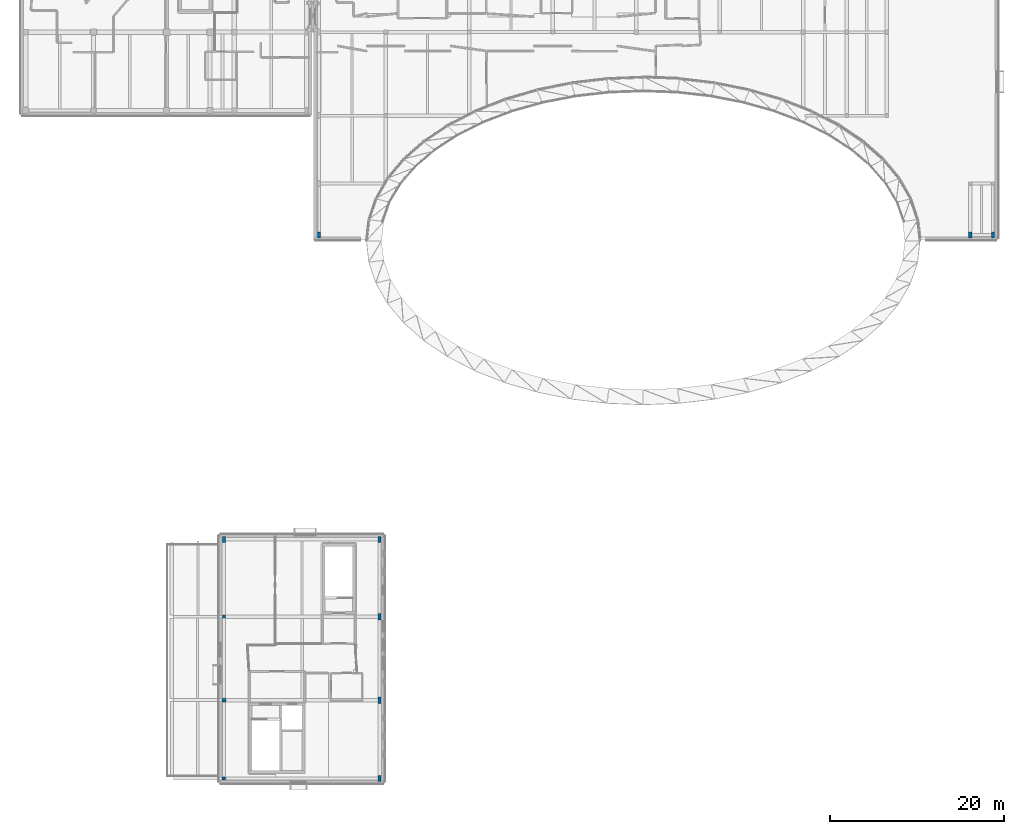
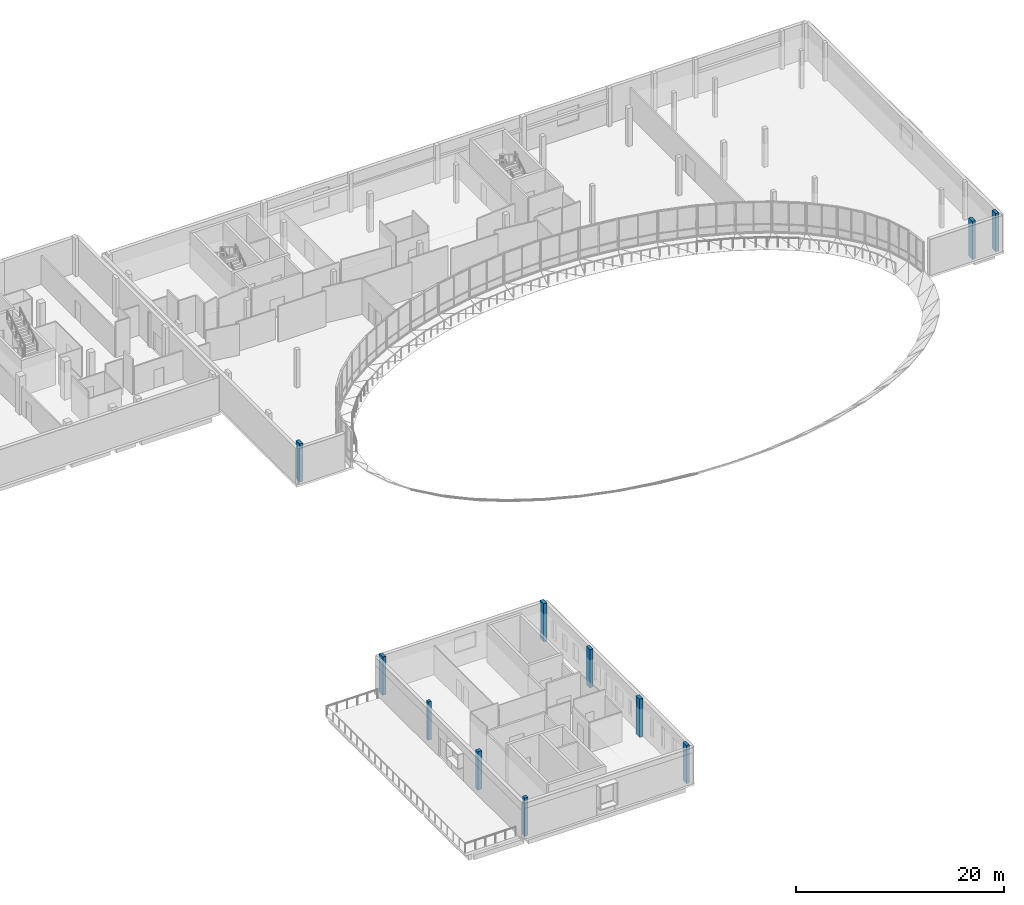
# One storey, part 1 of 41: 11 columns.
"""IFC4 building model written with IfcOpenShell, lengths in metres."""

import ifcopenshell
import ifcopenshell.guid

model = None  # the IFC model being written
_history = None  # IfcOwnerHistory: only IFC2X3 demands one
_inside = {}  # id of a spatial element -> (the spatial element, [elements in it])
_under = {}  # id of a project, library or spatial element -> (it, [spatial elements below it])
_declared = {}  # id of a project -> (the project, [libraries it declares])
_typed = {}  # id of a type object -> (the type object, [elements of that type])
_made_of = {}  # id of a material, layer set ... -> (it, [elements and type objects made of it])


def new_model(schema):
    """Start an empty IFC model of exactly this schema.

    Asked for "IFC4X3", IfcOpenShell would pick the latest addendum, in which some entities
    have other attributes; the version numbers below select the first issue.
    IFC2X3 requires an IfcOwnerHistory on every rooted entity: one is made here for all.
    """
    global model, _history
    if schema == "IFC4X3":
        model = ifcopenshell.file(schema_version=(4, 3, 0, 0))
    else:
        model = ifcopenshell.file(schema=schema)
    _inside.clear()
    _under.clear()
    _declared.clear()
    _typed.clear()
    _made_of.clear()
    _history = None
    if model.schema == "IFC2X3":
        org = make("IfcOrganization", Name="unknown")
        user = make(
            "IfcPersonAndOrganization",
            ThePerson=make("IfcPerson", FamilyName="unknown"),
            TheOrganization=org,
        )
        app = make(
            "IfcApplication",
            ApplicationDeveloper=org,
            Version="unknown",
            ApplicationFullName="unknown",
            ApplicationIdentifier="unknown",
        )
        _history = make(
            "IfcOwnerHistory",
            OwningUser=user,
            OwningApplication=app,
            ChangeAction="ADDED",
            CreationDate=0,
        )
    return model


def make(cls, **values):
    """One entity of the class cls with the attributes given. An attribute that is None is left unset."""
    return model.create_entity(
        cls, **{name: value for name, value in values.items() if value is not None}
    )


def rooted(cls, **values):
    """An entity with a GlobalId (a new one), such as an element, a storey or a relation."""
    return make(cls, GlobalId=ifcopenshell.guid.new(), OwnerHistory=_history, **values)


def si_unit(unit_type, name, prefix=None):
    """IfcSIUnit, for example si_unit("LENGTHUNIT", "METRE", prefix="MILLI")."""
    return make("IfcSIUnit", UnitType=unit_type, Prefix=prefix, Name=name)


def assignment(units):
    """IfcUnitAssignment: the units of a project."""
    return None if units is None else make("IfcUnitAssignment", Units=units)


def point(xyz):
    """IfcCartesianPoint."""
    return None if xyz is None else make("IfcCartesianPoint", Coordinates=xyz)


def direction(xyz):
    """IfcDirection."""
    return None if xyz is None else make("IfcDirection", DirectionRatios=xyz)


def frame(location, z_axis=None, x_axis=None):
    """IfcAxis2Placement3D, a coordinate frame: its origin and axes. An axis left out is left unset."""
    return make(
        "IfcAxis2Placement3D",
        Location=point(location),
        Axis=direction(z_axis),
        RefDirection=direction(x_axis),
    )


def frame_2d(location, x_axis=None):
    """IfcAxis2Placement2D, a coordinate frame in the plane: its origin and x axis."""
    return make(
        "IfcAxis2Placement2D", Location=point(location), RefDirection=direction(x_axis)
    )


def origin():
    """The frame at (0, 0, 0) with its axes left unset."""
    return frame((0.0, 0.0, 0.0))


def origin_2d():
    """The frame at (0, 0) in the plane with its x axis left unset."""
    return frame_2d((0.0, 0.0))


def place(relative_to, where):
    """IfcLocalPlacement: puts the frame where relative to a parent placement (None: the world)."""
    return make(
        "IfcLocalPlacement", PlacementRelTo=relative_to, RelativePlacement=where
    )


def context(
    kind, dimensions, precision=None, world=None, true_north=None, identifier=None
):
    """IfcGeometricRepresentationContext, for example the 3D "Model" context."""
    return make(
        "IfcGeometricRepresentationContext",
        ContextIdentifier=identifier,
        ContextType=kind,
        CoordinateSpaceDimension=dimensions,
        Precision=precision,
        WorldCoordinateSystem=world,
        TrueNorth=true_north,
    )


def subcontext(parent, identifier, kind, view, scale=None):
    """IfcGeometricRepresentationSubContext, for example "Body" below "Model"."""
    return make(
        "IfcGeometricRepresentationSubContext",
        ContextIdentifier=identifier,
        ContextType=kind,
        ParentContext=parent,
        TargetScale=scale,
        TargetView=view,
    )


def project(units=None, contexts=None):
    """IfcProject with its units and contexts."""
    return rooted(
        "IfcProject",
        Name="project",
        RepresentationContexts=contexts,
        UnitsInContext=assignment(units),
    )


def spatial(cls, under=None, at=None, **own):
    """A site, building, storey or space (cls), placed at a placement, below another one or the project."""
    s = rooted(cls, ObjectPlacement=at, **own)
    if under is not None:
        _under.setdefault(under.id(), (under, []))[1].append(s)
    return s


def profile(cls, at=None, kind="AREA", **sizes):
    """A parametric profile (cls). Its sizes go by their IFC names, for example OverallWidth=200.0."""
    return make(cls, ProfileType=kind, Position=at, **sizes)


def rectangle(**sizes):
    """IfcRectangleProfileDef."""
    return profile("IfcRectangleProfileDef", **sizes)


def extrude(swept, where, along, depth):
    """IfcExtrudedAreaSolid: the profile swept, set in the frame where, extruded along a direction by depth."""
    return make(
        "IfcExtrudedAreaSolid",
        SweptArea=swept,
        Position=where,
        ExtrudedDirection=direction(along),
        Depth=depth,
    )


def shape(context_of_items, identifier, shape_type, items):
    """IfcShapeRepresentation: the items that make up one representation, for example the "Body"."""
    return make(
        "IfcShapeRepresentation",
        ContextOfItems=context_of_items,
        RepresentationIdentifier=identifier,
        RepresentationType=shape_type,
        Items=items,
    )


def material(Name=None, Category=None):
    """IfcMaterial."""
    return make("IfcMaterial", Name=Name, Category=Category)


def material_profile(
    of_material, cross_section, Name=None, Category=None, Priority=None
):
    """IfcMaterialProfile: a cross section and its material."""
    return make(
        "IfcMaterialProfile",
        Name=Name,
        Material=of_material,
        Profile=cross_section,
        Priority=Priority,
        Category=Category,
    )


def profile_set(profiles, Name=None, composite=None):
    """IfcMaterialProfileSet."""
    return make(
        "IfcMaterialProfileSet",
        Name=Name,
        MaterialProfiles=profiles,
        CompositeProfile=composite,
    )


def made_of(thing, what):
    """Note that an element or type object is made of a material, layer set ...; save() writes the relation."""
    if what is not None:
        _made_of.setdefault(what.id(), (what, []))[1].append(thing)
    return thing


def type_object(cls, material=None, **own):
    """A type object (cls), such as IfcWallType, which elements share."""
    return made_of(rooted(cls, **own), material)


def element(
    cls,
    number,
    at=None,
    inside=None,
    cuts=None,
    type_object=None,
    material=None,
    context=None,
    identifier="Body",
    shape_type=None,
    held_by="IfcProductDefinitionShape",
    body=None,
    shapes=None,
    **own,
):
    """One element of the class cls, such as IfcWall. Its Tag is "e" and its number.

    at: its placement. inside: the storey or other place that contains it. cuts: it is an
    opening in that element (IfcRelVoidsElement). A single representation is given by context,
    identifier, shape_type and body (its items); several are given by shapes. held_by: the class
    of the entity that holds the representations. save() writes the other relations.
    """
    e = rooted(cls, Tag="e%d" % number, ObjectPlacement=at, **own)
    if body is not None:
        shapes = [shape(context, identifier, shape_type, body)]
    if shapes is not None:
        e.Representation = make(held_by, Representations=shapes)
    if inside is not None:
        _inside.setdefault(inside.id(), (inside, []))[1].append(e)
    if cuts is not None:
        rooted(
            "IfcRelVoidsElement", RelatingBuildingElement=cuts, RelatedOpeningElement=e
        )
    if type_object is not None:
        _typed.setdefault(type_object.id(), (type_object, []))[1].append(e)
    return made_of(e, material)


def aggregate(whole, parts):
    """IfcRelAggregates: a whole, such as a stair, and the parts it consists of."""
    return rooted("IfcRelAggregates", RelatingObject=whole, RelatedObjects=parts)


def save(model, path):
    """Write the relations noted so far, then the file.

    IfcRelAggregates (storeys below a building ...), IfcRelContainedInSpatialStructure (elements
    in a storey), IfcRelDefinesByType, IfcRelAssociatesMaterial and IfcRelDeclares: one each for
    every whole, place, type object, material and project.
    """
    for whole, parts in _under.values():
        aggregate(whole, parts)
    for where, things in _inside.values():
        rooted(
            "IfcRelContainedInSpatialStructure",
            RelatedElements=things,
            RelatingStructure=where,
        )
    for kind, things in _typed.values():
        rooted("IfcRelDefinesByType", RelatedObjects=things, RelatingType=kind)
    for what, things in _made_of.values():
        rooted("IfcRelAssociatesMaterial", RelatedObjects=things, RelatingMaterial=what)
    for by, libraries in _declared.values():
        rooted("IfcRelDeclares", RelatingContext=by, RelatedDefinitions=libraries)
    model.write(path)


model = new_model("IFC4")

# Units and contexts
model_context = context("Model", 3, precision=1e-05, world=origin(), true_north=direction((0.0, 1.0)))
body_context = subcontext(model_context, "Body", "Model", "MODEL_VIEW")
ifc_project = project(units=[si_unit("LENGTHUNIT", "METRE"), si_unit("AREAUNIT", "SQUARE_METRE"), si_unit("VOLUMEUNIT", "CUBIC_METRE"), si_unit("PLANEANGLEUNIT", "RADIAN"), si_unit("MASSUNIT", "GRAM", prefix="KILO")], contexts=[model_context])

# Site, building, storey
site_placement = place(None, origin())
site = spatial("IfcSite", under=ifc_project, at=site_placement, CompositionType="ELEMENT")
building_placement = place(site_placement, origin())
building = spatial("IfcBuilding", under=site, at=building_placement, Name="Mzevani Central Library", CompositionType="ELEMENT")
storey_placement = place(building_placement, frame((0.0, 0.0, 13.800048828125)))
storey = spatial("IfcBuildingStorey", under=building, at=storey_placement, Name="L03", CompositionType="ELEMENT", Elevation=13.800048828125)

# Columns
ifc_material = material(Name="Concrete C40/50", Category="concrete")
ifc_material_profile_1 = material_profile(ifc_material, rectangle(XDim=0.35009765625, YDim=0.35009765625, at=origin_2d()), Name="RC 350x350")
ifc_profile_set_1 = profile_set([ifc_material_profile_1], Name="Concrete C40/50")
column_type_1 = type_object("IfcColumnType", Name="Column RC 350x350", PredefinedType="COLUMN", material=ifc_profile_set_1)
column_1_placement = place(storey_placement, frame((35.800048828125, 32.800048828125, 0.0), z_axis=(0.0, 0.0, 1.0), x_axis=(1.0, 0.0, 0.0)))
element("IfcColumn", 1, at=column_1_placement, inside=storey, type_object=column_type_1, Name="L03 V4 Column C-01 (174)", PredefinedType="COLUMN", context=body_context, shape_type="SweptSolid", body=[
    extrude(rectangle(XDim=0.35009765625, YDim=0.35009765625, at=origin_2d()), origin(), (0.0, 0.0, 1.0), 4.5),
])
ifc_material_profile_2 = material_profile(ifc_material, rectangle(XDim=0.39990234375, YDim=0.39990234375, at=origin_2d()), Name="RC 400x400")
ifc_profile_set_2 = profile_set([ifc_material_profile_2], Name="Concrete C40/50")
column_type_2 = type_object("IfcColumnType", Name="Column RC 400x400", PredefinedType="COLUMN", material=ifc_profile_set_2)
column_2_placement = place(storey_placement, frame((35.800048828125, 14.199951171875, 0.0), z_axis=(0.0, 0.0, 1.0), x_axis=(1.0, 0.0, 0.0)))
element("IfcColumn", 2, at=column_2_placement, inside=storey, type_object=column_type_2, Name="L03 V4 Column C-02 (172)", PredefinedType="COLUMN", context=body_context, shape_type="SweptSolid", body=[
    extrude(rectangle(XDim=0.39990234375, YDim=0.39990234375, at=origin_2d()), origin(), (0.0, 0.0, 1.0), 4.5),
])
ifc_material_profile_3 = material_profile(ifc_material, rectangle(XDim=0.449951171875, YDim=0.449951171875, at=origin_2d()), Name="RC 450x450")
ifc_profile_set_3 = profile_set([ifc_material_profile_3], Name="Concrete C40/50")
column_type_3 = type_object("IfcColumnType", Name="Column RC 450x450", PredefinedType="COLUMN", material=ifc_profile_set_3)
column_3_placement = place(storey_placement, frame((35.800048828125, 23.199951171875, 0.0), z_axis=(0.0, 0.0, 1.0), x_axis=(1.0, 0.0, 0.0)))
element("IfcColumn", 3, at=column_3_placement, inside=storey, type_object=column_type_3, Name="L03 V4 Column C-03 (173)", PredefinedType="COLUMN", context=body_context, shape_type="SweptSolid", body=[
    extrude(rectangle(XDim=0.449951171875, YDim=0.449951171875, at=origin_2d()), origin(), (0.0, 0.0, 1.0), 4.5),
])
ifc_material_profile_4 = material_profile(ifc_material, rectangle(XDim=0.35009765625, YDim=0.699951171875, at=origin_2d()), Name="RC 350x700")
ifc_profile_set_4 = profile_set([ifc_material_profile_4], Name="Concrete C40/50")
column_type_4 = type_object("IfcColumnType", Name="Joint Twin Column RC 350x700", PredefinedType="COLUMN", material=ifc_profile_set_4)
for number, where, z_axis, x_axis, name in (
    (4, (46.75, 76.699951171875, 0.0), (0.0, 0.0, 1.0), (1.0, 0.0, 0.0), "L03 V3 Column C-18 (100)"),
    (5, (121.60009765625, 76.699951171875, 0.0), (0.0, 0.0, 1.0), (1.0, 0.0, 0.0), "L03 V3 Column C-18 (140)"),
    (6, (124.199951171875, 76.699951171875, 0.0), (0.0, 0.0, 1.0), (1.0, 0.0, 0.0), "L03 V3 Column C-18 (146)"),
    (7, (35.800048828125, 41.699951171875, 0.0), (0.0, 0.0, 1.0), (1.0, 0.0, 0.0), "L03 V4 Column C-18 (175)"),
    (8, (53.699951171875, 14.199951171875, 0.0), (0.0, 0.0, 1.0), (1.0, 0.0, 0.0), "L03 V4 Column C-18 (178)"),
    (9, (53.699951171875, 23.199951171875, 0.0), (0.0, 0.0, 1.0), (1.0, 0.0, 0.0), "L03 V4 Column C-18 (179)"),
    (10, (53.699951171875, 32.800048828125, 0.0), (0.0, 0.0, 1.0), (1.0, 0.0, 0.0), "L03 V4 Column C-18 (180)"),
    (11, (53.699951171875, 41.699951171875, 0.0), (0.0, 0.0, 1.0), (1.0, 0.0, 0.0), "L03 V4 Column C-18 (181)"),
):
    element("IfcColumn", number, at=place(storey_placement, frame(where, z_axis=z_axis, x_axis=x_axis)), inside=storey, type_object=column_type_4, Name=name, PredefinedType="COLUMN", context=body_context, shape_type="SweptSolid", body=[
        extrude(rectangle(XDim=0.35009765625, YDim=0.699951171875, at=origin_2d()), origin(), (0.0, 0.0, 1.0), 4.5),
    ])

save(model, "model.ifc")
